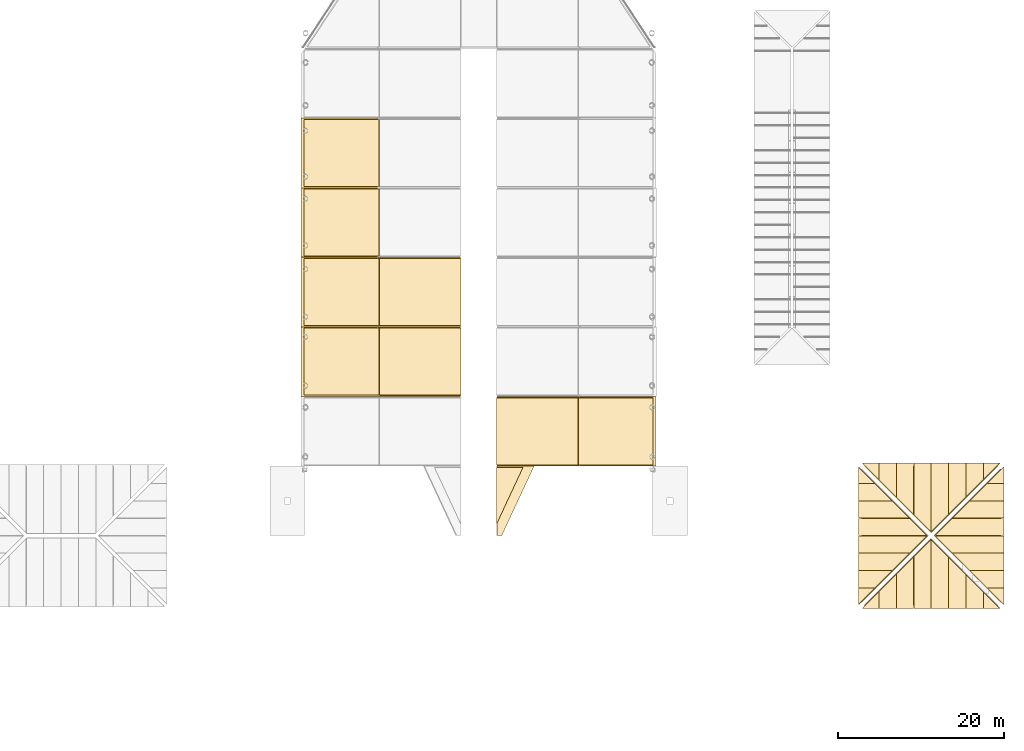
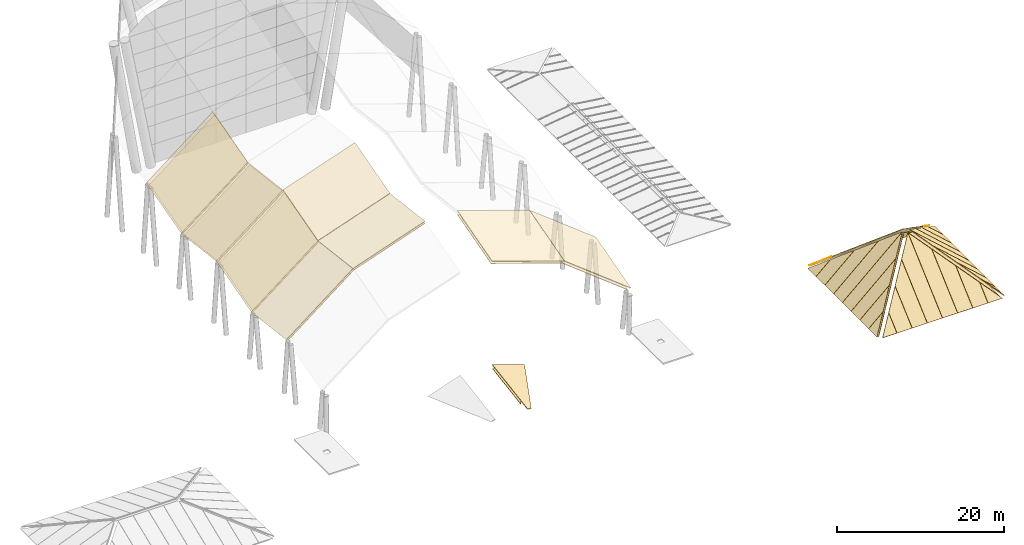
# One storey, part 5 of 8: 54 coverings.
"""IFC4 building model written with IfcOpenShell, lengths in metres."""

from ifc_helpers import new_model, si_unit, direction, frame, origin, place, context, subcontext, project, spatial, polyline, outline, extrude, material, layer, layer_set, type_object, element, save


model = new_model("IFC4")

# Units and contexts
model_context = context("Model", 3, precision=1e-05, world=origin(), true_north=direction((0.0, 1.0)))
body_context = subcontext(model_context, "Body", "Model", "MODEL_VIEW")
ifc_project = project(units=[si_unit("LENGTHUNIT", "METRE"), si_unit("AREAUNIT", "SQUARE_METRE"), si_unit("VOLUMEUNIT", "CUBIC_METRE"), si_unit("PLANEANGLEUNIT", "RADIAN"), si_unit("MASSUNIT", "GRAM", prefix="KILO")], contexts=[model_context])

# Site, building, storey
site_placement = place(None, origin())
site = spatial("IfcSite", under=ifc_project, at=site_placement, CompositionType="ELEMENT")
building_placement = place(site_placement, origin())
building = spatial("IfcBuilding", under=site, at=building_placement, Name="Sava Quay Ferry Terminal", CompositionType="ELEMENT")
storey_placement = place(building_placement, frame((0.0, 0.0, 18.0)))
storey = spatial("IfcBuildingStorey", under=building, at=storey_placement, Name="ROOF", CompositionType="ELEMENT", Elevation=18.0)

# Coverings
ifc_material_1 = material(Name="Glulam GL28h", Category="wood")
ifc_layer_1 = layer(ifc_material_1, 0.06005859375)
ifc_layer_set_1 = layer_set([ifc_layer_1], Name="Glulam GL28h")
covering_type_1 = type_object("IfcCoveringType", Name="Glulam soffit lining 60", PredefinedType="CEILING", material=ifc_layer_set_1)
covering_1_placement = place(storey_placement, frame((65.157958984375, 50.553955078125, 16.248779296875), z_axis=(0.314676338328, -0.25642845335, 0.913905493149), x_axis=(0.0, 0.962817557191, 0.270152459854)))
element("IfcCovering", 1, at=covering_1_placement, inside=storey, type_object=covering_type_1, Name="Departure hall timber soffit lining bay 1 facet 4", PredefinedType="CEILING", context=body_context, shape_type="SweptSolid", body=[
    extrude(outline(polyline([(0.0, 0.0), (8.404542434016312, 0.0), (7.488886525774535, -10.370585798684502), (-0.9156559082417766, -10.3705857986845), (0.0, 0.0)])), origin(), (0.0, 0.0, -1.0), 0.06005859375),
])
covering_2_placement = place(storey_placement, frame((75.01904296875, 50.553955078125, 12.849853515625), z_axis=(0.601145154914, -0.215889596729, 0.769425879957), x_axis=(0.0, 0.962817557191, 0.270152459854)))
element("IfcCovering", 2, at=covering_2_placement, inside=storey, type_object=covering_type_1, Name="Departure hall timber soffit lining bay 1 facet 5", PredefinedType="CEILING", context=body_context, shape_type="SweptSolid", body=[
    extrude(outline(polyline([(0.0, 0.0), (8.404542434016312, 0.0), (6.4975140589602915, -11.30610146613597), (-1.9070283750560204, -11.306101466135969), (0.0, 0.0)])), origin(), (0.0, 0.0, -1.0), 0.06005859375),
])
covering_3_placement = place(storey_placement, frame((41.9423828125, 58.958740234375, 8.07470703125), z_axis=(-0.612740245307, 0.097387075866, 0.784260893604), x_axis=(0.0, 0.992378084915, -0.123230420682)))
element("IfcCovering", 3, at=covering_3_placement, inside=storey, type_object=covering_type_1, Name="Departure hall timber soffit lining bay 2 facet 1", PredefinedType="CEILING", context=body_context, shape_type="SweptSolid", body=[
    extrude(outline(polyline([(0.0, 0.0), (8.144596957666648, 0.0), (7.274673223778158, -11.433100144625836), (-0.8699237338884902, -11.433100144625836), (0.0, 0.0)])), origin(), (0.0, 0.0, -1.0), 0.06005859375),
])
covering_4_placement = place(storey_placement, frame((50.9951171875, 58.958740234375, 15.1435546875), z_axis=(-0.323336229027, 0.116597025804, 0.939073381889), x_axis=(-4.550869e-06, 0.992379726084, -0.123217203492)))
element("IfcCovering", 4, at=covering_4_placement, inside=storey, type_object=covering_type_1, Name="Departure hall timber soffit lining bay 2 facet 2", PredefinedType="CEILING", context=body_context, shape_type="SweptSolid", body=[
    extrude(outline(polyline([(0.0, 0.0), (8.144596956859933, 0.0), (7.726828984412423, -10.404631992795718), (-0.41773789012244017, -10.404553654956905), (0.0, 0.0)])), origin(), (0.0, 0.0, -1.0), 0.06005859375),
])
covering_5_placement = place(storey_placement, frame((41.94580078125, 67.35400390625, 7.104736328125), z_axis=(-0.601145154914, -0.215889596729, 0.769425879957), x_axis=(0.0, 0.962817557191, 0.270152459854)))
element("IfcCovering", 5, at=covering_5_placement, inside=storey, type_object=covering_type_1, Name="Departure hall timber soffit lining bay 3 facet 1", PredefinedType="CEILING", context=body_context, shape_type="SweptSolid", body=[
    extrude(outline(polyline([(0.0, 0.0), (8.404542434016312, 0.0), (10.311570809072332, -11.306101466135969), (1.9070283750560204, -11.306101466135969), (0.0, 0.0)])), origin(), (0.0, 0.0, -1.0), 0.06005859375),
])
covering_6_placement = place(storey_placement, frame((50.998291015625, 67.35400390625, 14.17333984375), z_axis=(-0.314676338328, -0.25642845335, 0.913905493149), x_axis=(0.0, 0.962817557191, 0.270152459854)))
element("IfcCovering", 6, at=covering_6_placement, inside=storey, type_object=covering_type_1, Name="Departure hall timber soffit lining bay 3 facet 2", PredefinedType="CEILING", context=body_context, shape_type="SweptSolid", body=[
    extrude(outline(polyline([(0.0, 0.0), (8.404542434016312, 0.0), (9.320198342258088, -10.3705857986845), (0.9156559082417766, -10.3705857986845), (0.0, 0.0)])), origin(), (0.0, 0.0, -1.0), 0.06005859375),
])
covering_7_placement = place(storey_placement, frame((41.942138671875, 75.7587890625, 9.388671875), z_axis=(-0.612742880361, 0.097281838337, 0.784271895771), x_axis=(-7.202641e-06, 0.99239388479, -0.123103116859)))
element("IfcCovering", 7, at=covering_7_placement, inside=storey, type_object=covering_type_1, Name="Departure hall timber soffit lining bay 4 facet 1", PredefinedType="CEILING", context=body_context, shape_type="SweptSolid", body=[
    extrude(outline(polyline([(0.0, 0.0), (8.144476672554493, -1.1102230246251565e-16), (7.275356482895213, -11.433504938512975), (-0.86909013518739, -11.433356481094338), (0.0, 0.0)])), origin(), (0.0, 0.0, -1.0), 0.06005859375),
])
covering_8_placement = place(storey_placement, frame((41.945556640625, 84.154296875, 8.418212890625), z_axis=(-0.601834848765, -0.210731737619, 0.770316136123), x_axis=(-6.746333e-06, 0.964559687541, 0.263864755368)))
element("IfcCovering", 8, at=covering_8_placement, inside=storey, type_object=covering_type_1, Name="Departure hall timber soffit lining bay 5 facet 1", PredefinedType="CEILING", context=body_context, shape_type="SweptSolid", body=[
    extrude(outline(polyline([(0.0, 0.0), (8.388582772619158, 0.0), (10.25122919020112, -11.31384525853402), (1.8625819974756719, -11.31370353317871), (0.0, 0.0)])), origin(), (0.0, 0.0, -1.0), 0.06005859375),
])
covering_9_placement = place(storey_placement, frame((65.147216796875, 50.241943359375, 1.100341796875), z_axis=(0.321911245392, -0.15003113666, 0.934806829309), x_axis=(0.945508785873, 0.0, -0.325596584499)))
element("IfcCovering", 9, at=covering_9_placement, inside=storey, type_object=covering_type_1, Name="Arrivals hall timber soffit lining bay 2 facet 4 (upper part)", PredefinedType="CEILING", context=body_context, shape_type="SweptSolid", body=[
    extrude(outline(polyline([(0.0, 0.0), (3.3794635732030542, 0.0), (0.35826753084441554, -6.934446139428807), (0.0, 0.0)])), origin(), (0.0, 0.0, -1.0), 0.06005859375),
])
covering_10_placement = place(storey_placement, frame((109.518310546875, 33.56591796875, 0.1767578125), z_axis=(0.0, -0.669129675532, 0.743145663596), x_axis=(0.59647321824, 0.59647321824, 0.537065545203)))
element("IfcCovering", 10, at=covering_10_placement, inside=storey, type_object=covering_type_1, Name="East pavilion timber soffit lining PH-S", PredefinedType="CEILING", context=body_context, shape_type="SweptSolid", body=[
    extrude(outline(polyline([(0.0, 0.0), (13.549287482210888, 4.440892098500626e-16), (9.640993509176669, -12.973221780669354), (0.0, 0.0)])), origin(), (0.0, 0.0, -1.0), 0.06005859375),
])
covering_11_placement = place(storey_placement, frame((126.033935546875, 33.918212890625, 0.1767578125), z_axis=(0.669129675532, 0.0, 0.743145663596), x_axis=(-0.59647321824, 0.59647321824, 0.537065545203)))
element("IfcCovering", 11, at=covering_11_placement, inside=storey, type_object=covering_type_1, Name="East pavilion timber soffit lining PH-E", PredefinedType="CEILING", context=body_context, shape_type="SweptSolid", body=[
    extrude(outline(polyline([(0.0, 0.0), (13.549287482210888, 4.440892098500626e-16), (9.641139132520966, -12.973417735986635), (0.0, 0.0)])), origin(), (0.0, 0.0, -1.0), 0.06005859375),
])
covering_12_placement = place(storey_placement, frame((125.681640625, 50.43408203125, 0.1767578125), z_axis=(0.0, 0.669129675532, 0.743145663596), x_axis=(-0.596461610048, -0.596479628947, 0.537071317415)))
element("IfcCovering", 12, at=covering_12_placement, inside=storey, type_object=covering_type_1, Name="East pavilion timber soffit lining PH-N", PredefinedType="CEILING", context=body_context, shape_type="SweptSolid", body=[
    extrude(outline(polyline([(0.0, 0.0), (13.5491418602836, -4.440892098500626e-16), (9.640805882131518, -12.973361212788253), (0.0, 0.0)])), origin(), (0.0, 0.0, -1.0), 0.06005859375),
])
covering_13_placement = place(storey_placement, frame((109.166015625, 50.081787109375, 0.1767578125), z_axis=(-0.669129675532, 0.0, 0.743145663596), x_axis=(0.59647321824, -0.59647321824, 0.537065545203)))
element("IfcCovering", 13, at=covering_13_placement, inside=storey, type_object=covering_type_1, Name="East pavilion timber soffit lining PH-W", PredefinedType="CEILING", context=body_context, shape_type="SweptSolid", body=[
    extrude(outline(polyline([(0.0, 0.0), (13.549287482210888, 4.440892098500626e-16), (9.641139132520966, -12.973417735986635), (0.0, 0.0)])), origin(), (0.0, 0.0, -1.0), 0.06005859375),
])
ifc_material_2 = material(Name="Zinc standing seam sheet")
ifc_layer_2 = layer(ifc_material_2, 0.0400390625)
ifc_layer_set_2 = layer_set([ifc_layer_2], Name="Zinc standing seam sheet")
covering_type_2 = type_object("IfcCoveringType", Name="Standing seam roofing 40", PredefinedType="ROOFING", material=ifc_layer_set_2)
covering_14_placement = place(storey_placement, frame((65.22412109375, 50.409912109375, 16.63427734375), z_axis=(0.314689477842, -0.256425038834, 0.913901926902), x_axis=(0.0, 0.962818218662, 0.270150102373)))
element("IfcCovering", 14, at=covering_14_placement, inside=storey, type_object=covering_type_2, Name="Departure hall roofing bay 1 facet 4", PredefinedType="ROOFING", context=body_context, shape_type="SweptSolid", body=[
    extrude(outline(polyline([(0.0, 0.0), (8.703747800667596, -2.220446049250313e-16), (7.776294006829105, -10.50386722357002), (-0.9274537938384919, -10.50386722357002), (0.0, 0.0)])), origin(), (0.0, 0.0, -1.0), 0.0400390625),
])
covering_15_placement = place(storey_placement, frame((75.211669921875, 50.409912109375, 13.191650390625), z_axis=(0.601139927237, -0.215899165104, 0.769427279468), x_axis=(-6.486996e-06, 0.962813252252, 0.270167802015)))
element("IfcCovering", 15, at=covering_15_placement, inside=storey, type_object=covering_type_2, Name="Departure hall roofing bay 1 facet 5", PredefinedType="ROOFING", context=body_context, shape_type="SweptSolid", body=[
    extrude(outline(polyline([(0.0, 0.0), (8.70381375794982, 4.440892098500626e-16), (6.760273980006003, -11.521480147166397), (-1.94347381900778, -11.521338842457446), (0.0, 0.0)])), origin(), (0.0, 0.0, -1.0), 0.0400390625),
])
covering_16_placement = place(storey_placement, frame((41.57275390625, 58.81005859375, 8.327392578125), z_axis=(-0.612732851515, 0.097382214243, 0.784267273972), x_axis=(0.0, 0.992378959789, -0.123223375091)))
element("IfcCovering", 16, at=covering_16_placement, inside=storey, type_object=covering_type_2, Name="Departure hall roofing bay 2 facet 1", PredefinedType="ROOFING", context=body_context, shape_type="SweptSolid", body=[
    extrude(outline(polyline([(0.0, 0.0), (8.4442366797908, 0.0), (7.557786491698082, -11.651118487186755), (-0.8864501880927171, -11.651118487186757), (0.0, 0.0)])), origin(), (0.0, 0.0, -1.0), 0.0400390625),
])
covering_17_placement = place(storey_placement, frame((50.7978515625, 58.81005859375, 15.530517578125), z_axis=(-0.323343314148, 0.116604027819, 0.93907007294), x_axis=(0.0, 0.992378959789, -0.123223375091)))
element("IfcCovering", 17, at=covering_17_placement, inside=storey, type_object=covering_type_2, Name="Departure hall roofing bay 2 facet 2", PredefinedType="ROOFING", context=body_context, shape_type="SweptSolid", body=[
    extrude(outline(polyline([(0.0, 0.0), (8.4442366797908, 5.551115123125783e-17), (8.021017333897623, -10.541103418283333), (-0.42321934589317667, -10.541103418283333), (0.0, 0.0)])), origin(), (0.0, 0.0, -1.0), 0.0400390625),
])
covering_18_placement = place(storey_placement, frame((41.5810546875, 67.2099609375, 7.312255859375), z_axis=(-0.601139927237, -0.215899165104, 0.769427279468), x_axis=(-6.487045e-06, 0.962815888899, 0.270158405462)))
element("IfcCovering", 18, at=covering_18_placement, inside=storey, type_object=covering_type_2, Name="Departure hall roofing bay 3 facet 1", PredefinedType="ROOFING", context=body_context, shape_type="SweptSolid", body=[
    extrude(outline(polyline([(0.0, 0.0), (8.703747800160818, 2.220446049250313e-16), (10.647100527460987, -11.52151169887417), (1.9432867706582102, -11.521370393094399), (0.0, 0.0)])), origin(), (0.0, 0.0, -1.0), 0.0400390625),
])
covering_19_placement = place(storey_placement, frame((50.8056640625, 67.2099609375, 14.51513671875), z_axis=(-0.314689477842, -0.256425038834, 0.913901926902), x_axis=(0.0, 0.962818218662, 0.270150102373)))
element("IfcCovering", 19, at=covering_19_placement, inside=storey, type_object=covering_type_2, Name="Departure hall roofing bay 3 facet 2", PredefinedType="ROOFING", context=body_context, shape_type="SweptSolid", body=[
    extrude(outline(polyline([(0.0, 0.0), (8.703747800667596, 2.220446049250313e-16), (9.63120159450609, -10.50386722357002), (0.9274537938384919, -10.50386722357002), (0.0, 0.0)])), origin(), (0.0, 0.0, -1.0), 0.0400390625),
])
covering_20_placement = place(storey_placement, frame((41.57275390625, 75.610107421875, 9.641357421875), z_axis=(-0.612738302549, 0.097291683978, 0.784274251023), x_axis=(0.0, 0.992393095437, -0.123109480258)))
element("IfcCovering", 20, at=covering_20_placement, inside=storey, type_object=covering_type_2, Name="Departure hall roofing bay 4 facet 1", PredefinedType="ROOFING", context=body_context, shape_type="SweptSolid", body=[
    extrude(outline(polyline([(0.0, 0.0), (8.444116400075877, 0.0), (7.558485554060898, -11.65118079608335), (-0.8856308460149803, -11.651180796083349), (0.0, 0.0)])), origin(), (0.0, 0.0, -1.0), 0.0400390625),
])
covering_21_placement = place(storey_placement, frame((41.58056640625, 84.010009765625, 8.625732421875), z_axis=(-0.601840645252, -0.210733630437, 0.770311089577), x_axis=(0.0, 0.964557302837, 0.263873472603)))
element("IfcCovering", 21, at=covering_21_placement, inside=storey, type_object=covering_type_2, Name="Departure hall roofing bay 5 facet 1", PredefinedType="ROOFING", context=body_context, shape_type="SweptSolid", body=[
    extrude(outline(polyline([(0.0, 0.0), (8.687801945879816, 0.0), (10.58600308607991, -11.529036563831523), (1.8982011402000922, -11.529036563831522), (0.0, 0.0)])), origin(), (0.0, 0.0, -1.0), 0.0400390625),
])
covering_22_placement = place(storey_placement, frame((65.215087890625, 50.389892578125, 1.539306640625), z_axis=(0.321880583102, -0.150026753176, 0.934818091157), x_axis=(0.945519389483, -3.056975e-06, -0.325565790743)))
element("IfcCovering", 22, at=covering_22_placement, inside=storey, type_object=covering_type_2, Name="Arrivals hall roofing bay 2 facet 4 (upper part)", PredefinedType="ROOFING", context=body_context, shape_type="SweptSolid", body=[
    extrude(outline(polyline([(0.0, 0.0), (4.727820393571929, 2.7755575615628914e-17), (1.035103414577223, -8.47580938955331), (0.4379020675787138, -8.475825854359405), (0.0, 0.0)])), origin(), (0.0, 0.0, -1.0), 0.0400390625),
])
covering_23_placement = place(storey_placement, frame((111.2900390625, 35.200439453125, 2.2001953125), z_axis=(0.0, -0.669130899675, 0.743144561374), x_axis=(0.0, -0.743144561374, -0.669130899675)))
element("IfcCovering", 23, at=covering_23_placement, inside=storey, type_object=covering_type_2, Name="East pavilion roofing PH-S", PredefinedType="ROOFING", context=body_context, shape_type="SweptSolid", body=[
    extrude(outline(polyline([(0.0, 0.0), (2.6784539900875064, 0.0), (2.6784539900875064, -1.990478515625), (0.0, 0.0)])), origin(), (0.0, 0.0, -1.0), 0.0400390625),
])
covering_24_placement = place(storey_placement, frame((113.389892578125, 37.300537109375, 4.091064453125), z_axis=(1.7855214e-05, -0.66912901211, 0.743146260728), x_axis=(-1.2e-10, -0.743146260846, -0.669129012217)))
element("IfcCovering", 24, at=covering_24_placement, inside=storey, type_object=covering_type_2, Name="East pavilion roofing PH-S", PredefinedType="ROOFING", context=body_context, shape_type="SweptSolid", body=[
    extrude(outline(polyline([(0.0, 0.0), (5.504369111030673, 0.0), (5.504369111281216, -2.079833984043465), (2.7989489248416457, -2.0798339850324354), (0.0, 0.0)])), origin(), (0.0, 0.0, -1.0), 0.0400390625),
])
covering_25_placement = place(storey_placement, frame((115.489990234375, 39.400390625, 5.98193359375), z_axis=(-1.7751442e-05, -0.669133058998, 0.743142616891), x_axis=(-7.9e-11, -0.743142617009, -0.669133059104)))
element("IfcCovering", 25, at=covering_25_placement, inside=storey, type_object=covering_type_2, Name="East pavilion roofing PH-S", PredefinedType="ROOFING", context=body_context, shape_type="SweptSolid", body=[
    extrude(outline(polyline([(0.0, 0.0), (8.330102800114481, 0.0), (8.330102800278155, -2.0800781246722693), (2.7987674930058386, -2.080078125762968), (0.0, 0.0)])), origin(), (0.0, 0.0, -1.0), 0.0400390625),
])
covering_26_placement = place(storey_placement, frame((117.590087890625, 41.50048828125, 7.872802734375), z_axis=(2.3058415e-05, -0.669134761577, 0.743141083724), x_axis=(-9.9e-11, -0.743141083921, -0.669134761755)))
element("IfcCovering", 26, at=covering_26_placement, inside=storey, type_object=covering_type_2, Name="East pavilion roofing PH-S", PredefinedType="ROOFING", context=body_context, shape_type="SweptSolid", body=[
    extrude(outline(polyline([(0.0, 0.0), (11.156017920704503, 2.710505431213761e-20), (11.156017920910713, -2.0800781244470214), (2.7989489241389203, -2.0800781263814616), (0.0, 0.0)])), origin(), (0.0, 0.0, -1.0), 0.0400390625),
])
covering_27_placement = place(storey_placement, frame((119.68994140625, 39.42041015625, 6.0), z_axis=(-2.3061122e-05, -0.669134761577, 0.743141083723), x_axis=(-1.32e-10, -0.743141083921, -0.669134761755)))
element("IfcCovering", 27, at=covering_27_placement, inside=storey, type_object=covering_type_2, Name="East pavilion roofing PH-S", PredefinedType="ROOFING", context=body_context, shape_type="SweptSolid", body=[
    extrude(outline(polyline([(0.0, 0.0), (8.357068996771792, -1.3552527156068805e-20), (8.357068997047065, -2.0798339838219566), (-2.798948923657437, -2.0798339864045823), (0.0, 0.0)])), origin(), (0.0, 0.0, -1.0), 0.0400390625),
])
covering_28_placement = place(storey_placement, frame((121.7900390625, 37.320556640625, 4.109130859375), z_axis=(1.7751442e-05, -0.669133058998, 0.743142616891), x_axis=(-1.18e-10, -0.743142617009, -0.669133059104)))
element("IfcCovering", 28, at=covering_28_placement, inside=storey, type_object=covering_type_2, Name="East pavilion roofing PH-S", PredefinedType="ROOFING", context=body_context, shape_type="SweptSolid", body=[
    extrude(outline(polyline([(0.0, 0.0), (5.531335307272315, 0.0), (5.531335307518804, -2.0800781246722693), (-2.798767492595678, -2.0800781263148442), (0.0, 0.0)])), origin(), (0.0, 0.0, -1.0), 0.0400390625),
])
covering_29_placement = place(storey_placement, frame((123.889892578125, 35.220458984375, 2.21826171875), z_axis=(-1.7855214e-05, -0.66912901211, 0.743146260728), x_axis=(-2.45e-10, -0.743146260846, -0.669129012217)))
element("IfcCovering", 29, at=covering_29_placement, inside=storey, type_object=covering_type_2, Name="East pavilion roofing PH-S", PredefinedType="ROOFING", context=body_context, shape_type="SweptSolid", body=[
    extrude(outline(polyline([(0.0, 0.0), (2.7054201864395706, 0.0), (2.705420186949315, -2.0798339840434656), (-2.7989489240813596, -2.079833986055596), (0.0, 0.0)])), origin(), (0.0, 0.0, -1.0), 0.0400390625),
])
covering_30_placement = place(storey_placement, frame((125.900634765625, 33.2099609375, 0.407958984375), z_axis=(0.0, -0.669130899675, 0.743144561374), x_axis=(-1.0, 0.0, 0.0)))
element("IfcCovering", 30, at=covering_30_placement, inside=storey, type_object=covering_type_2, Name="East pavilion roofing PH-S", PredefinedType="ROOFING", context=body_context, shape_type="SweptSolid", body=[
    extrude(outline(polyline([(0.0, 0.0), (1.99072265625, 0.0), (1.99072265625, -2.6784539900875064), (0.0, 0.0)])), origin(), (0.0, 0.0, -1.0), 0.0400390625),
])
covering_31_placement = place(storey_placement, frame((124.3994140625, 35.68994140625, 2.2001953125), z_axis=(0.669085576246, 0.0, 0.743185368303), x_axis=(0.743185368303, 0.0, -0.669085576246)))
element("IfcCovering", 31, at=covering_31_placement, inside=storey, type_object=covering_type_2, Name="East pavilion roofing PH-E", PredefinedType="ROOFING", context=body_context, shape_type="SweptSolid", body=[
    extrude(outline(polyline([(0.0, 0.0), (2.67863542684667, 0.0), (2.67863542684667, -1.990478515625), (0.0, 0.0)])), origin(), (0.0, 0.0, -1.0), 0.0400390625),
])
covering_32_placement = place(storey_placement, frame((122.299560546875, 37.7900390625, 4.091064453125), z_axis=(0.66912901211, 1.7853118e-05, 0.743146260728), x_axis=(0.743146260846, -1.2e-10, -0.669129012217)))
element("IfcCovering", 32, at=covering_32_placement, inside=storey, type_object=covering_type_2, Name="East pavilion roofing PH-E", PredefinedType="ROOFING", context=body_context, shape_type="SweptSolid", body=[
    extrude(outline(polyline([(0.0, 0.0), (5.504369111030673, -6.776263578034403e-21), (5.504369111281216, -2.0800781246685043), (2.7989489248416457, -2.0800781256573586), (0.0, 0.0)])), origin(), (0.0, 0.0, -1.0), 0.0400390625),
])
covering_33_placement = place(storey_placement, frame((120.199462890625, 39.889892578125, 5.98193359375), z_axis=(0.669124300879, 1.3589425e-05, 0.743150502784), x_axis=(0.743150502853, -4.6e-11, -0.669124300941)))
element("IfcCovering", 33, at=covering_33_placement, inside=storey, type_object=covering_type_2, Name="East pavilion roofing PH-E", PredefinedType="ROOFING", context=body_context, shape_type="SweptSolid", body=[
    extrude(outline(polyline([(0.0, 0.0), (8.330284232329063, 1.3552527156068805e-20), (8.330284232424958, -2.0798339841829563), (2.7989489251016084, -2.07983398482208), (0.0, 0.0)])), origin(), (0.0, 0.0, -1.0), 0.0400390625),
])
covering_34_placement = place(storey_placement, frame((118.099609375, 41.989990234375, 7.872802734375), z_axis=(0.669128540075, -2.1842292e-05, 0.743146685642), x_axis=(0.743146685819, -8.9e-11, -0.669128540234)))
element("IfcCovering", 34, at=covering_34_placement, inside=storey, type_object=covering_type_2, Name="East pavilion roofing PH-E", PredefinedType="ROOFING", context=body_context, shape_type="SweptSolid", body=[
    extrude(outline(polyline([(0.0, 0.0), (11.15601792071509, -2.710505431213761e-20), (11.156017920900123, -2.0800781245038125), (2.7987674925264, -2.0800781262396013), (0.0, 0.0)])), origin(), (0.0, 0.0, -1.0), 0.0400390625),
])
covering_35_placement = place(storey_placement, frame((120.179443359375, 44.090087890625, 6.0), z_axis=(0.669128540075, 2.1842292e-05, 0.743146685642), x_axis=(0.743146685819, -1.19e-10, -0.669128540234)))
element("IfcCovering", 35, at=covering_35_placement, inside=storey, type_object=covering_type_2, Name="East pavilion roofing PH-E", PredefinedType="ROOFING", context=body_context, shape_type="SweptSolid", body=[
    extrude(outline(polyline([(0.0, 0.0), (8.357250428373723, 1.3552527156068805e-20), (8.35725042862072, -2.0800781245038125), (-2.7987674920943704, -2.080078126820901), (0.0, 0.0)])), origin(), (0.0, 0.0, -1.0), 0.0400390625),
])
covering_36_placement = place(storey_placement, frame((122.279541015625, 46.18994140625, 4.109130859375), z_axis=(0.669124300879, -1.3589425e-05, 0.743150502784), x_axis=(0.743150502853, -6.9e-11, -0.669124300941)))
element("IfcCovering", 36, at=covering_36_placement, inside=storey, type_object=covering_type_2, Name="East pavilion roofing PH-E", PredefinedType="ROOFING", context=body_context, shape_type="SweptSolid", body=[
    extrude(outline(polyline([(0.0, 0.0), (5.531335307323349, 6.776263578034403e-21), (5.531335307467771, -2.0798339841829563), (-2.7989489248612918, -2.0798339851454877), (0.0, 0.0)])), origin(), (0.0, 0.0, -1.0), 0.0400390625),
])
covering_37_placement = place(storey_placement, frame((124.379638671875, 48.2900390625, 2.21826171875), z_axis=(0.66912901211, -1.7853118e-05, 0.743146260728), x_axis=(0.743146260846, -2.45e-10, -0.669129012217)))
element("IfcCovering", 37, at=covering_37_placement, inside=storey, type_object=covering_type_2, Name="East pavilion roofing PH-E", PredefinedType="ROOFING", context=body_context, shape_type="SweptSolid", body=[
    extrude(outline(polyline([(0.0, 0.0), (2.7054201864395697, -3.3881317890172014e-21), (2.705420186949315, -2.0800781246685043), (-2.798948924081359, -2.0800781266803985), (0.0, 0.0)])), origin(), (0.0, 0.0, -1.0), 0.0400390625),
])
covering_38_placement = place(storey_placement, frame((126.39013671875, 50.300537109375, 0.407958984375), z_axis=(0.669085576246, 0.0, 0.743185368303), x_axis=(0.0, -1.0, 0.0)))
element("IfcCovering", 38, at=covering_38_placement, inside=storey, type_object=covering_type_2, Name="East pavilion roofing PH-E", PredefinedType="ROOFING", context=body_context, shape_type="SweptSolid", body=[
    extrude(outline(polyline([(0.0, 0.0), (1.990478515625, 0.0), (1.990478515625, -2.678635426846669), (0.0, 0.0)])), origin(), (0.0, 0.0, -1.0), 0.0400390625),
])
covering_39_placement = place(storey_placement, frame((123.909912109375, 48.799560546875, 2.2001953125), z_axis=(0.0, 0.669130899675, 0.743144561374), x_axis=(0.0, 0.743144561374, -0.669130899675)))
element("IfcCovering", 39, at=covering_39_placement, inside=storey, type_object=covering_type_2, Name="East pavilion roofing PH-N", PredefinedType="ROOFING", context=body_context, shape_type="SweptSolid", body=[
    extrude(outline(polyline([(0.0, 0.0), (2.6784539900875064, 0.0), (2.6784539900875064, -1.99072265625), (0.0, 0.0)])), origin(), (0.0, 0.0, -1.0), 0.0400390625),
])
covering_40_placement = place(storey_placement, frame((121.81005859375, 46.699462890625, 4.091064453125), z_axis=(-1.7855214e-05, 0.66912901211, 0.743146260728), x_axis=(1.2e-10, 0.743146260846, -0.669129012217)))
element("IfcCovering", 40, at=covering_40_placement, inside=storey, type_object=covering_type_2, Name="East pavilion roofing PH-N", PredefinedType="ROOFING", context=body_context, shape_type="SweptSolid", body=[
    extrude(outline(polyline([(0.0, 0.0), (5.504369111030673, 0.0), (5.504369111281216, -2.079833984043465), (2.7989489248416457, -2.0798339850324354), (0.0, 0.0)])), origin(), (0.0, 0.0, -1.0), 0.0400390625),
])
covering_41_placement = place(storey_placement, frame((119.7099609375, 44.599609375, 5.98193359375), z_axis=(1.7751442e-05, 0.669133058998, 0.743142616891), x_axis=(7.9e-11, 0.743142617009, -0.669133059104)))
element("IfcCovering", 41, at=covering_41_placement, inside=storey, type_object=covering_type_2, Name="East pavilion roofing PH-N", PredefinedType="ROOFING", context=body_context, shape_type="SweptSolid", body=[
    extrude(outline(polyline([(0.0, 0.0), (8.330102800114481, 0.0), (8.330102800278155, -2.0800781246722693), (2.7987674930058386, -2.080078125762968), (0.0, 0.0)])), origin(), (0.0, 0.0, -1.0), 0.0400390625),
])
covering_42_placement = place(storey_placement, frame((117.610107421875, 42.49951171875, 7.872802734375), z_axis=(-2.3061122e-05, 0.669134761577, 0.743141083723), x_axis=(9.9e-11, 0.743141083921, -0.669134761755)))
element("IfcCovering", 42, at=covering_42_placement, inside=storey, type_object=covering_type_2, Name="East pavilion roofing PH-N", PredefinedType="ROOFING", context=body_context, shape_type="SweptSolid", body=[
    extrude(outline(polyline([(0.0, 0.0), (11.156017920704503, 0.0), (11.156017920910713, -2.079833983821956), (2.7989489241389203, -2.0798339857566237), (0.0, 0.0)])), origin(), (0.0, 0.0, -1.0), 0.0400390625),
])
covering_43_placement = place(storey_placement, frame((115.510009765625, 44.57958984375, 6.0), z_axis=(2.3058415e-05, 0.669134761577, 0.743141083724), x_axis=(1.32e-10, 0.743141083921, -0.669134761755)))
element("IfcCovering", 43, at=covering_43_placement, inside=storey, type_object=covering_type_2, Name="East pavilion roofing PH-N", PredefinedType="ROOFING", context=body_context, shape_type="SweptSolid", body=[
    extrude(outline(polyline([(0.0, 0.0), (8.357068996771792, 1.3552527156068805e-20), (8.357068997047065, -2.080078124447021), (-2.798948923657437, -2.080078127029344), (0.0, 0.0)])), origin(), (0.0, 0.0, -1.0), 0.0400390625),
])
covering_44_placement = place(storey_placement, frame((113.409912109375, 46.679443359375, 4.109130859375), z_axis=(-1.7751442e-05, 0.669133058998, 0.743142616891), x_axis=(1.18e-10, 0.743142617009, -0.669133059104)))
element("IfcCovering", 44, at=covering_44_placement, inside=storey, type_object=covering_type_2, Name="East pavilion roofing PH-N", PredefinedType="ROOFING", context=body_context, shape_type="SweptSolid", body=[
    extrude(outline(polyline([(0.0, 0.0), (5.531335307272315, 0.0), (5.531335307518804, -2.0800781246722693), (-2.798767492595678, -2.0800781263148442), (0.0, 0.0)])), origin(), (0.0, 0.0, -1.0), 0.0400390625),
])
covering_45_placement = place(storey_placement, frame((111.31005859375, 48.779541015625, 2.21826171875), z_axis=(1.7855214e-05, 0.66912901211, 0.743146260728), x_axis=(2.45e-10, 0.743146260846, -0.669129012217)))
element("IfcCovering", 45, at=covering_45_placement, inside=storey, type_object=covering_type_2, Name="East pavilion roofing PH-N", PredefinedType="ROOFING", context=body_context, shape_type="SweptSolid", body=[
    extrude(outline(polyline([(0.0, 0.0), (2.7054201864395706, 0.0), (2.705420186949315, -2.0798339840434656), (-2.7989489240813596, -2.079833986055596), (0.0, 0.0)])), origin(), (0.0, 0.0, -1.0), 0.0400390625),
])
covering_46_placement = place(storey_placement, frame((109.299560546875, 50.7900390625, 0.407958984375), z_axis=(0.0, 0.669130899675, 0.743144561374), x_axis=(1.0, 0.0, 0.0)))
element("IfcCovering", 46, at=covering_46_placement, inside=storey, type_object=covering_type_2, Name="East pavilion roofing PH-N", PredefinedType="ROOFING", context=body_context, shape_type="SweptSolid", body=[
    extrude(outline(polyline([(0.0, 0.0), (1.990478515625, 0.0), (1.990478515625, -2.6784539900875064), (0.0, 0.0)])), origin(), (0.0, 0.0, -1.0), 0.0400390625),
])
covering_47_placement = place(storey_placement, frame((110.800537109375, 48.31005859375, 2.2001953125), z_axis=(-0.669085576246, 0.0, 0.743185368303), x_axis=(-0.743185368303, 0.0, -0.669085576246)))
element("IfcCovering", 47, at=covering_47_placement, inside=storey, type_object=covering_type_2, Name="East pavilion roofing PH-W", PredefinedType="ROOFING", context=body_context, shape_type="SweptSolid", body=[
    extrude(outline(polyline([(0.0, 0.0), (2.67863542684667, 0.0), (2.67863542684667, -1.990478515625), (0.0, 0.0)])), origin(), (0.0, 0.0, -1.0), 0.0400390625),
])
covering_48_placement = place(storey_placement, frame((112.900390625, 46.2099609375, 4.091064453125), z_axis=(-0.669114224593, 3.4801468e-05, 0.743159574544), x_axis=(-0.743159574994, 4.58e-10, -0.669114224998)))
element("IfcCovering", 48, at=covering_48_placement, inside=storey, type_object=covering_type_2, Name="East pavilion roofing PH-W", PredefinedType="ROOFING", context=body_context, shape_type="SweptSolid", body=[
    extrude(outline(polyline([(0.0, 0.0), (5.504369110679933, 0.0), (5.504369111631956, -2.0800781237403645), (2.798767491023776, -2.0800781274979494), (0.0, 0.0)])), origin(), (0.0, 0.0, -1.0), 0.0400390625),
])
covering_49_placement = place(storey_placement, frame((115.00048828125, 44.110107421875, 5.98193359375), z_axis=(-0.669124300879, -1.3589425e-05, 0.743150502784), x_axis=(-0.743150502853, 4.6e-11, -0.669124300941)))
element("IfcCovering", 49, at=covering_49_placement, inside=storey, type_object=covering_type_2, Name="East pavilion roofing PH-W", PredefinedType="ROOFING", context=body_context, shape_type="SweptSolid", body=[
    extrude(outline(polyline([(0.0, 0.0), (8.330284232329063, 1.3552527156068805e-20), (8.330284232424958, -2.0798339841829563), (2.7989489251016084, -2.07983398482208), (0.0, 0.0)])), origin(), (0.0, 0.0, -1.0), 0.0400390625),
])
covering_50_placement = place(storey_placement, frame((117.1005859375, 42.010009765625, 7.872802734375), z_axis=(-0.669122318736, -1.1793319e-05, 0.743152287509), x_axis=(-0.743152287561, 2.6e-11, -0.669122318783)))
element("IfcCovering", 50, at=covering_50_placement, inside=storey, type_object=covering_type_2, Name="East pavilion roofing PH-W", PredefinedType="ROOFING", context=body_context, shape_type="SweptSolid", body=[
    extrude(outline(polyline([(0.0, 0.0), (11.156199353607747, 0.0), (11.156199353661687, -2.080078124855349), (2.7989489252004693, -2.0800781253613714), (0.0, 0.0)])), origin(), (0.0, 0.0, -1.0), 0.0400390625),
])
covering_51_placement = place(storey_placement, frame((115.0205078125, 39.909912109375, 6.0), z_axis=(-0.669122318736, 1.1793319e-05, 0.743152287509), x_axis=(-0.743152287561, 3.5e-11, -0.669122318783)))
element("IfcCovering", 51, at=covering_51_placement, inside=storey, type_object=covering_type_2, Name="East pavilion roofing PH-W", PredefinedType="ROOFING", context=body_context, shape_type="SweptSolid", body=[
    extrude(outline(polyline([(0.0, 0.0), (8.357250428461219, -6.776263578034403e-21), (8.357250428533225, -2.080078124855349), (-2.798948925074523, -2.0800781255308443), (0.0, 0.0)])), origin(), (0.0, 0.0, -1.0), 0.0400390625),
])
covering_52_placement = place(storey_placement, frame((112.92041015625, 37.81005859375, 4.109130859375), z_axis=(-0.669124300879, 1.3589425e-05, 0.743150502784), x_axis=(-0.743150502853, 6.9e-11, -0.669124300941)))
element("IfcCovering", 52, at=covering_52_placement, inside=storey, type_object=covering_type_2, Name="East pavilion roofing PH-W", PredefinedType="ROOFING", context=body_context, shape_type="SweptSolid", body=[
    extrude(outline(polyline([(0.0, 0.0), (5.531335307323349, 6.776263578034403e-21), (5.531335307467771, -2.0798339841829563), (-2.7989489248612918, -2.0798339851454877), (0.0, 0.0)])), origin(), (0.0, 0.0, -1.0), 0.0400390625),
])
covering_53_placement = place(storey_placement, frame((110.820556640625, 35.7099609375, 2.21826171875), z_axis=(-0.669114224593, -3.4801468e-05, 0.743159574544), x_axis=(-0.743159574994, 9.31e-10, -0.669114224998)))
element("IfcCovering", 53, at=covering_53_placement, inside=storey, type_object=covering_type_2, Name="East pavilion roofing PH-W", PredefinedType="ROOFING", context=body_context, shape_type="SweptSolid", body=[
    extrude(outline(polyline([(0.0, 0.0), (2.7056016206081797, 0.0), (2.7056016225450055, -2.0800781237403654), (-2.7987674881349287, -2.080078131384926), (0.0, 0.0)])), origin(), (0.0, 0.0, -1.0), 0.0400390625),
])
covering_54_placement = place(storey_placement, frame((108.809814453125, 33.699462890625, 0.407958984375), z_axis=(-0.669085576246, 0.0, 0.743185368303), x_axis=(0.0, 1.0, 0.0)))
element("IfcCovering", 54, at=covering_54_placement, inside=storey, type_object=covering_type_2, Name="East pavilion roofing PH-W", PredefinedType="ROOFING", context=body_context, shape_type="SweptSolid", body=[
    extrude(outline(polyline([(0.0, 0.0), (1.990478515625, 0.0), (1.990478515625, -2.678635426846669), (0.0, 0.0)])), origin(), (0.0, 0.0, -1.0), 0.0400390625),
])

save(model, "model.ifc")
